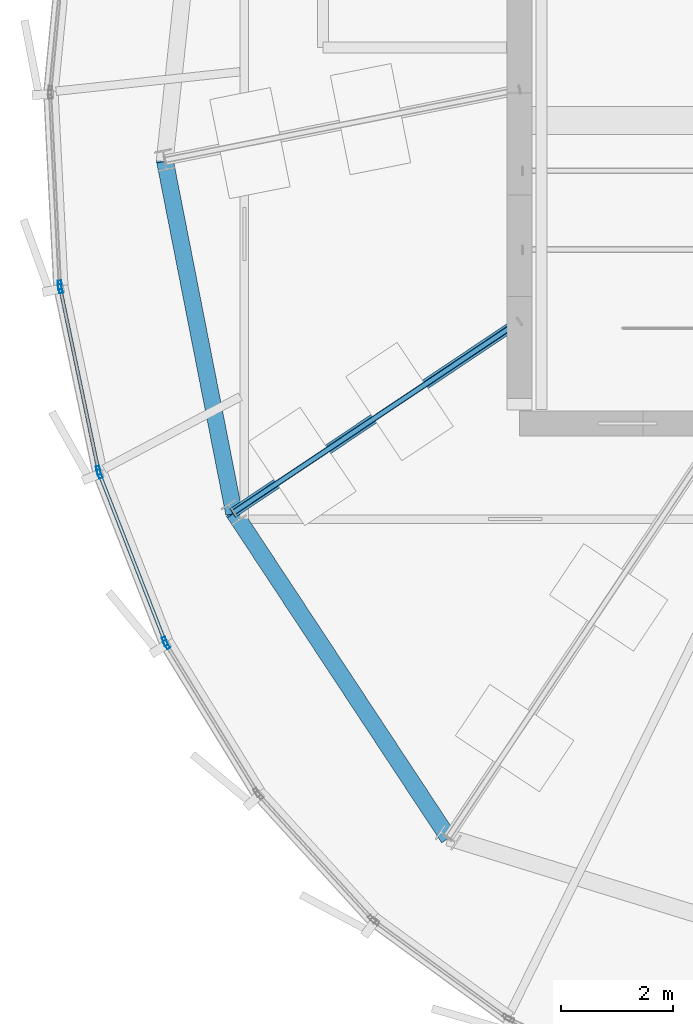
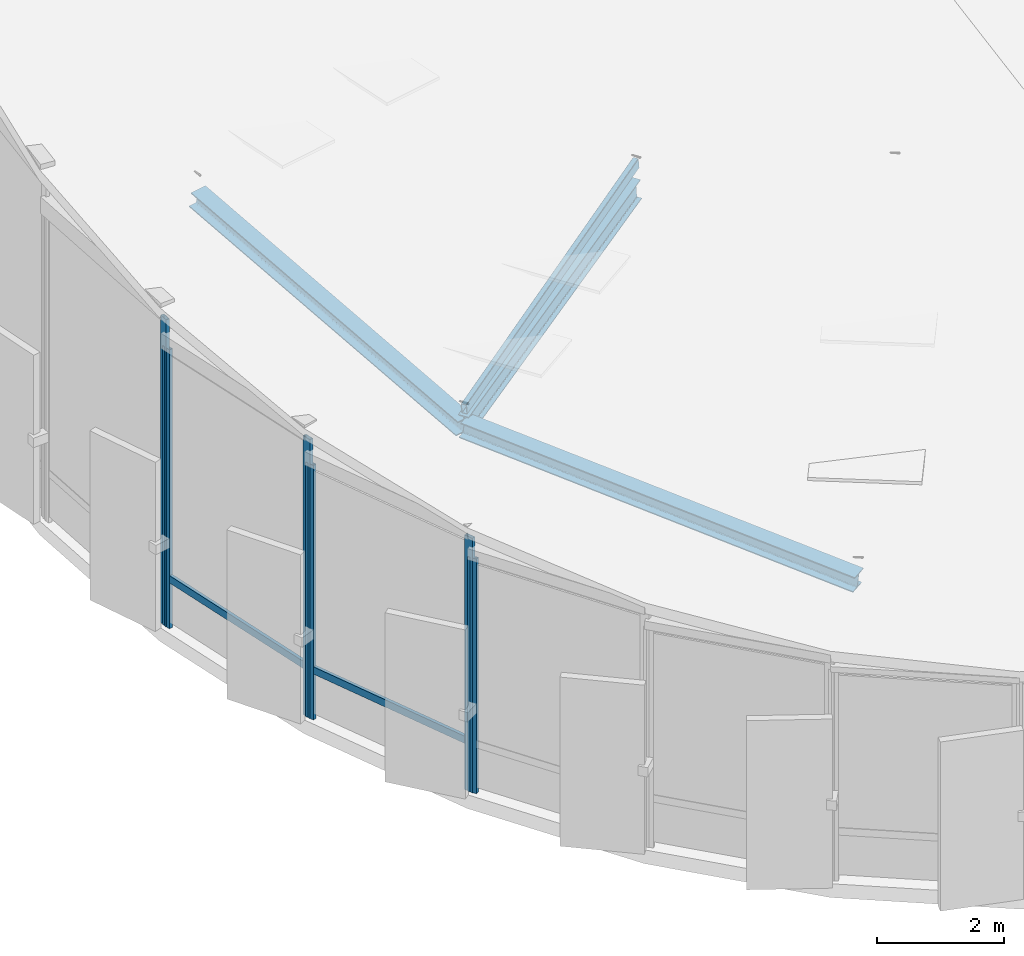
# One storey, part 4 of 36: 9 members, 3 beams, 4 elements without a shape of their own.
"""IFC4 building model written with IfcOpenShell, lengths in metres."""

from ifc_helpers import new_model, si_unit, direction, frame, origin, origin_2d, place, context, subcontext, project, spatial, hollow_rectangle, i_section, extrude, source, transform, mapped, material, layer, layer_set, material_profile, profile_set, type_object, element, aggregate, save


model = new_model("IFC4")

# Units and contexts
model_context = context("Model", 3, precision=1e-05, world=origin(), true_north=direction((0.0, 1.0)))
body_context = subcontext(model_context, "Body", "Model", "MODEL_VIEW")
ifc_project = project(units=[si_unit("LENGTHUNIT", "METRE"), si_unit("AREAUNIT", "SQUARE_METRE"), si_unit("VOLUMEUNIT", "CUBIC_METRE"), si_unit("PLANEANGLEUNIT", "RADIAN"), si_unit("MASSUNIT", "GRAM", prefix="KILO"), si_unit("THERMODYNAMICTEMPERATUREUNIT", "KELVIN")], contexts=[model_context])

# Site, building, storey
site_placement = place(None, origin())
site = spatial("IfcSite", under=ifc_project, at=site_placement, CompositionType="ELEMENT")
building_placement = place(site_placement, origin())
building = spatial("IfcBuilding", under=site, at=building_placement, Name="Kethvar Cultural Tower", CompositionType="ELEMENT")
storey_placement = place(building_placement, frame((0.0, 0.0, 324.300048828125)))
storey = spatial("IfcBuildingStorey", under=building, at=storey_placement, Name="L86", CompositionType="ELEMENT", Elevation=324.300048828125)

# Beams
ifc_material_1 = material(Name="Steel S355J2", Category="steel")
ifc_material_profile_1 = material_profile(ifc_material_1, i_section(OverallWidth=0.300048828125, OverallDepth=0.300048828125, WebThickness=0.010986328125, FlangeThickness=0.01904296875, FilletRadius=0.027099609375, at=origin_2d()), Name="Steel S355J2 — HEB300")
ifc_profile_set_1 = profile_set([ifc_material_profile_1], Name="Steel S355J2 — HEB300")
beam_type_1 = type_object("IfcBeamType", Name="BM-SP300", PredefinedType="SPANDREL", material=ifc_profile_set_1)
shared_shape_1 = source(origin(), body_context, "Body", "SweptSolid", [
    extrude(i_section(OverallWidth=0.300048828125, OverallDepth=0.300048828125, WebThickness=0.010986328125, FlangeThickness=0.01904296875, FilletRadius=0.027099609375, at=origin_2d()), origin(), (0.0, 0.0, 1.0), 6.474365234375),
])
beam_1_placement = place(storey_placement, frame((31.68310546875, 24.79296875, 6.216552734375), z_axis=(0.189939297995, -0.968739441232, -0.159583702425), x_axis=(0.981315588131, 0.192405084368, 0.0)))
element("IfcBeam", 1, at=beam_1_placement, inside=storey, type_object=beam_type_1, Name="Crown Sloped Eave Ring Beam SP-09", PredefinedType="SPANDREL", context=body_context, shape_type="MappedRepresentation", body=[
    mapped(shared_shape_1, transform((0.0, 0.0, 0.0), scale=1.0)),
])
ifc_material_profile_2 = material_profile(ifc_material_1, i_section(OverallWidth=0.179931640625, OverallDepth=0.39990234375, WebThickness=0.008544921875, FlangeThickness=0.013427734375, FilletRadius=0.02099609375, at=origin_2d()), Name="Steel S355J2 — IPE400")
ifc_profile_set_2 = profile_set([ifc_material_profile_2], Name="Steel S355J2 — IPE400")
beam_type_2 = type_object("IfcBeamType", Name="BM-IPE400", PredefinedType="BEAM", material=ifc_profile_set_2)
shared_shape_2 = source(origin(), body_context, "Body", "SweptSolid", [
    extrude(i_section(OverallWidth=0.179931640625, OverallDepth=0.39990234375, WebThickness=0.008544921875, FlangeThickness=0.013427734375, FilletRadius=0.02099609375, at=origin_2d()), origin(), (0.0, 0.0, 1.0), 6.161376953125),
])
beam_2_placement = place(storey_placement, frame((38.0, 21.920166015625, 5.9111328125), z_axis=(-0.825645882449, -0.551685349203, -0.118119229044), x_axis=(0.555574694406, -0.831466631282, 0.0)))
element("IfcBeam", 2, at=beam_2_placement, inside=storey, type_object=beam_type_2, Name="Crown Sloped Radial Rafter RB-10", PredefinedType="BEAM", context=body_context, shape_type="MappedRepresentation", body=[
    mapped(shared_shape_2, transform((0.0, 0.0, 0.0), scale=1.0)),
])
shared_shape_3 = source(origin(), body_context, "Body", "SweptSolid", [
    extrude(i_section(OverallWidth=0.300048828125, OverallDepth=0.300048828125, WebThickness=0.010986328125, FlangeThickness=0.01904296875, FilletRadius=0.027099609375, at=origin_2d()), origin(), (0.0, 0.0, 1.0), 6.981689453125),
])
beam_3_placement = place(storey_placement, frame((32.912841796875, 18.52099609375, 5.183349609375), z_axis=(0.546905455597, -0.829310088551, -0.114626348046), x_axis=(0.834812607759, 0.550534204139, 0.0)))
element("IfcBeam", 3, at=beam_3_placement, inside=storey, type_object=beam_type_1, Name="Crown Sloped Eave Ring Beam SP-10", PredefinedType="SPANDREL", context=body_context, shape_type="MappedRepresentation", body=[
    mapped(shared_shape_3, transform((0.0, 0.0, 0.0), scale=1.0)),
])

# Member
ifc_material_profile_3 = material_profile(ifc_material_1, hollow_rectangle(XDim=0.10009765625, YDim=0.199951171875, WallThickness=0.008056640625, InnerFilletRadius=0.008056640625, OuterFilletRadius=0.01611328125, at=origin_2d()), Name="Steel S355J2 — RHS200x100x8")
ifc_profile_set_3 = profile_set([ifc_material_profile_3], Name="Steel S355J2 — RHS200x100x8")
member_type_1 = type_object("IfcMemberType", Name="MB-GLAZ-200", PredefinedType="PURLIN", material=ifc_profile_set_3)
shared_shape_4 = source(origin(), body_context, "Body", "SweptSolid", [
    extrude(hollow_rectangle(XDim=0.10009765625, YDim=0.199951171875, WallThickness=0.008056640625, InnerFilletRadius=0.008056640625, OuterFilletRadius=0.01611328125, at=origin_2d()), origin(), (0.0, 0.0, 1.0), 6.1826171875),
])
member_1_placement = place(storey_placement, frame((38.0, 21.920166015625, 6.392333984375), z_axis=(-0.822827589752, -0.549802204354, -0.143778627167), x_axis=(0.555574694406, -0.831466631282, 0.0)))
element("IfcMember", 4, at=member_1_placement, inside=storey, type_object=member_type_1, Name="Sloped Crown Skylight Glazing Mullion Bar GB-10", PredefinedType="PURLIN", context=body_context, shape_type="MappedRepresentation", body=[
    mapped(shared_shape_4, transform((0.0, 0.0, 0.0), scale=1.0)),
])

# Curtain wall, member
ifc_material_2 = material(Name="Aluminium 6063-T6", Category="aluminium")
ifc_layer = layer(ifc_material_2, 0.179931640625, Name="Aluminium 6063-T6", Category="aluminium")
ifc_layer_set = layer_set([ifc_layer], Name="Aluminium 6063-T6 (180 mm)")
curtain_wall_type = type_object("IfcCurtainWallType", Name="CW-SYS-06-CROWN", PredefinedType="NOTDEFINED", material=ifc_layer_set)
curtain_wall_1_placement = place(storey_placement, origin())
curtain_wall_1 = element("IfcCurtainWall", 5, at=curtain_wall_1_placement, inside=storey, type_object=curtain_wall_type, Name="L86 Curtain Wall Run 12", PredefinedType="NOTDEFINED")
ifc_material_profile_4 = material_profile(ifc_material_2, hollow_rectangle(XDim=0.06494140625, YDim=0.159912109375, WallThickness=0.0048828125, at=origin_2d()), Name="Aluminium 6063-T6 — RHS160x65x5")
ifc_profile_set_4 = profile_set([ifc_material_profile_4], Name="Aluminium 6063-T6 — RHS160x65x5")
member_type_2 = type_object("IfcMemberType", Name="CW-SYS-06-CROWN-MUL", PredefinedType="MULLION", material=ifc_profile_set_4)
shared_shape_5 = source(origin(), body_context, "Body", "SweptSolid", [
    extrude(hollow_rectangle(XDim=0.06494140625, YDim=0.159912109375, WallThickness=0.0048828125, at=origin_2d()), origin(), (0.0, 0.0, 1.0), 5.903076171875),
])
member_2_placement = place(storey_placement, frame((29.81396484375, 22.568115234375, 0.0), z_axis=(0.0, 0.0, 1.0), x_axis=(0.998700746821, 0.050958986433, 0.0)))
member_2 = element("IfcMember", 6, at=member_2_placement, type_object=member_type_2, Name="CW-L86-R12 Mullion 2", PredefinedType="MULLION", context=body_context, shape_type="MappedRepresentation", body=[
    mapped(shared_shape_5, transform((0.0, 0.0, 0.0), scale=1.0)),
])
aggregate(curtain_wall_1, [member_2])

# Curtain wall, members
curtain_wall_2_placement = place(storey_placement, origin())
curtain_wall_2 = element("IfcCurtainWall", 7, at=curtain_wall_2_placement, inside=storey, type_object=curtain_wall_type, Name="L86 Curtain Wall Run 13", PredefinedType="NOTDEFINED")
shared_shape_6 = source(origin(), body_context, "Body", "SweptSolid", [
    extrude(hollow_rectangle(XDim=0.06494140625, YDim=0.159912109375, WallThickness=0.0048828125, at=origin_2d()), origin(), (0.0, 0.0, 1.0), 5.358642578125),
])
member_3_placement = place(storey_placement, frame((29.822509765625, 22.503173828125, 0.0), z_axis=(0.0, 0.0, 1.0), x_axis=(0.97866705, 0.205452683711, 0.0)))
member_3 = element("IfcMember", 8, at=member_3_placement, type_object=member_type_2, Name="CW-L86-R13 Mullion 1", PredefinedType="MULLION", context=body_context, shape_type="MappedRepresentation", body=[
    mapped(shared_shape_6, transform((0.0, 0.0, 0.0), scale=1.0)),
])
member_4_placement = place(storey_placement, frame((30.50244140625, 19.264404296875, 0.0), z_axis=(0.0, 0.0, 1.0), x_axis=(0.97866705, 0.205452683711, 0.0)))
member_4 = element("IfcMember", 9, at=member_4_placement, type_object=member_type_2, Name="CW-L86-R13 Mullion 2", PredefinedType="MULLION", context=body_context, shape_type="MappedRepresentation", body=[
    mapped(shared_shape_6, transform((0.0, 0.0, 0.0), scale=1.0)),
])
ifc_material_profile_5 = material_profile(ifc_material_2, hollow_rectangle(XDim=0.06005859375, YDim=0.139892578125, WallThickness=0.0048828125, at=origin_2d()), Name="Aluminium 6063-T6 — RHS140x60x5")
ifc_profile_set_5 = profile_set([ifc_material_profile_5], Name="Aluminium 6063-T6 — RHS140x60x5")
member_type_3 = type_object("IfcMemberType", Name="CW-SYS-06-CROWN-TRN", PredefinedType="USERDEFINED", material=ifc_profile_set_5)
shared_shape_7 = source(origin(), body_context, "Body", "SweptSolid", [
    extrude(hollow_rectangle(XDim=0.06005859375, YDim=0.139892578125, WallThickness=0.0048828125, at=origin_2d()), origin(), (0.0, 0.0, 1.0), 3.30029296875),
])
member_5_placement = place(storey_placement, frame((29.823486328125, 22.498779296875, 0.949951171875), z_axis=(0.20542512928, -0.978672834128, 0.0), x_axis=(0.978672834128, 0.20542512928, 0.0)))
member_5 = element("IfcMember", 10, at=member_5_placement, type_object=member_type_3, Name="CW-L86-R13 Transom 1", ObjectType="TRANSOM", PredefinedType="USERDEFINED", context=body_context, shape_type="MappedRepresentation", body=[
    mapped(shared_shape_7, transform((0.0, 0.0, 0.0), scale=1.0)),
])
aggregate(curtain_wall_2, [member_3, member_4, member_5])

curtain_wall_3_placement = place(storey_placement, origin())
curtain_wall_3 = element("IfcCurtainWall", 11, at=curtain_wall_3_placement, inside=storey, type_object=curtain_wall_type, Name="L86 Curtain Wall Run 14", PredefinedType="NOTDEFINED")
shared_shape_8 = source(origin(), body_context, "Body", "SweptSolid", [
    extrude(hollow_rectangle(XDim=0.06494140625, YDim=0.159912109375, WallThickness=0.0048828125, at=origin_2d()), origin(), (0.0, 0.0, 1.0), 4.888671875),
])
member_6_placement = place(storey_placement, frame((30.520751953125, 19.20263671875, 0.0), z_axis=(0.0, 0.0, 1.0), x_axis=(0.931411995966, 0.36396661079, 0.0)))
member_6 = element("IfcMember", 12, at=member_6_placement, type_object=member_type_2, Name="CW-L86-R14 Mullion 1", PredefinedType="MULLION", context=body_context, shape_type="MappedRepresentation", body=[
    mapped(shared_shape_8, transform((0.0, 0.0, 0.0), scale=1.0)),
])
member_7_placement = place(storey_placement, frame((31.685791015625, 16.22119140625, 0.0), z_axis=(0.0, 0.0, 1.0), x_axis=(0.931411995966, 0.36396661079, 0.0)))
member_7 = element("IfcMember", 13, at=member_7_placement, type_object=member_type_2, Name="CW-L86-R14 Mullion 2", PredefinedType="MULLION", context=body_context, shape_type="MappedRepresentation", body=[
    mapped(shared_shape_8, transform((0.0, 0.0, 0.0), scale=1.0)),
])
shared_shape_9 = source(origin(), body_context, "Body", "SweptSolid", [
    extrude(hollow_rectangle(XDim=0.06005859375, YDim=0.139892578125, WallThickness=0.0048828125, at=origin_2d()), origin(), (0.0, 0.0, 1.0), 3.19189453125),
])
member_8_placement = place(storey_placement, frame((30.5224609375, 19.198486328125, 0.949951171875), z_axis=(0.363940738919, -0.931422105468, 0.0), x_axis=(0.931422105468, 0.363940738919, 0.0)))
member_8 = element("IfcMember", 14, at=member_8_placement, type_object=member_type_3, Name="CW-L86-R14 Transom 1", ObjectType="TRANSOM", PredefinedType="USERDEFINED", context=body_context, shape_type="MappedRepresentation", body=[
    mapped(shared_shape_9, transform((0.0, 0.0, 0.0), scale=1.0)),
])
aggregate(curtain_wall_3, [member_6, member_7, member_8])

# Curtain wall, member
curtain_wall_4_placement = place(storey_placement, origin())
curtain_wall_4 = element("IfcCurtainWall", 15, at=curtain_wall_4_placement, inside=storey, type_object=curtain_wall_type, Name="L86 Curtain Wall Run 15", PredefinedType="NOTDEFINED")
shared_shape_10 = source(origin(), body_context, "Body", "SweptSolid", [
    extrude(hollow_rectangle(XDim=0.06494140625, YDim=0.159912109375, WallThickness=0.0048828125, at=origin_2d()), origin(), (0.0, 0.0, 1.0), 4.50732421875),
])
member_9_placement = place(storey_placement, frame((31.7138671875, 16.164794921875, 0.0), z_axis=(0.0, 0.0, 1.0), x_axis=(0.852667521146, 0.522453919865, 0.0)))
member_9 = element("IfcMember", 16, at=member_9_placement, type_object=member_type_2, Name="CW-L86-R15 Mullion 1", PredefinedType="MULLION", context=body_context, shape_type="MappedRepresentation", body=[
    mapped(shared_shape_10, transform((0.0, 0.0, 0.0), scale=1.0)),
])
aggregate(curtain_wall_4, [member_9])

save(model, "model.ifc")
